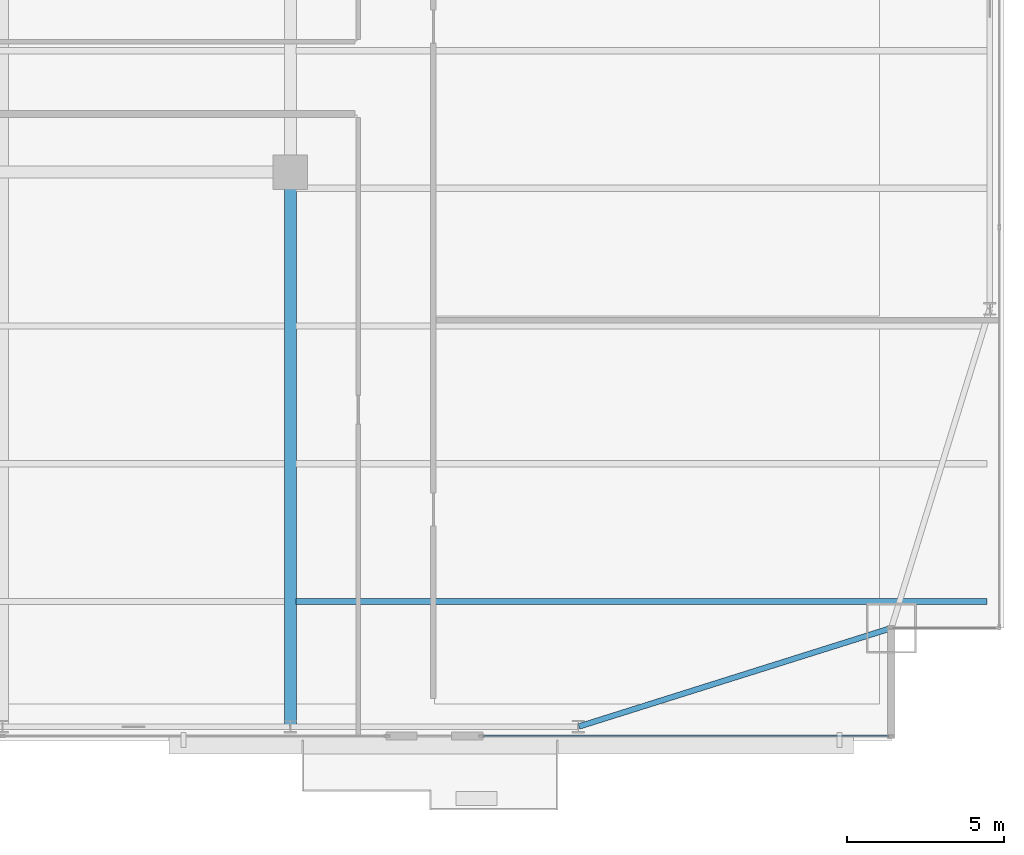
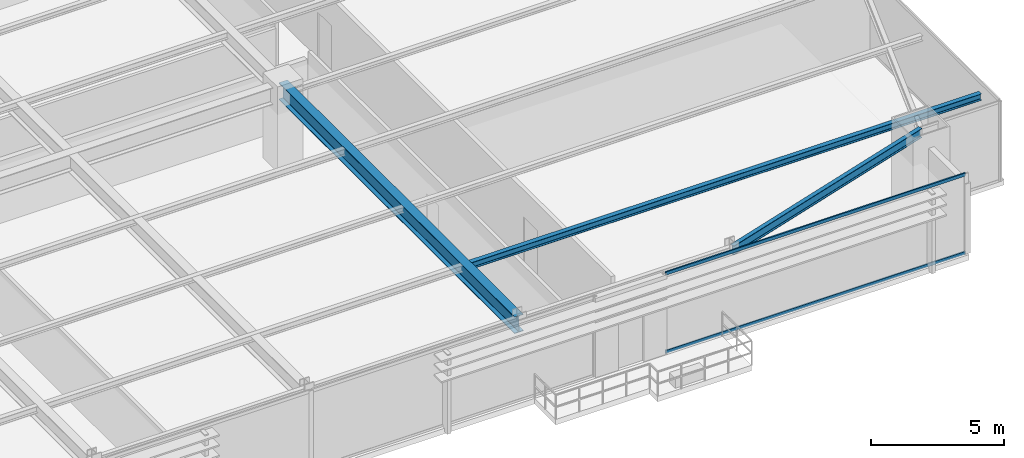
# One storey, part 13 of 31: 3 beams, 2 members, 1 element without a shape of its own.
"""IFC4 building model written with IfcOpenShell, lengths in metres."""

from ifc_helpers import new_model, si_unit, direction, frame, origin, origin_2d, place, context, subcontext, project, spatial, hollow_rectangle, i_section, extrude, source, transform, mapped, material, layer, layer_set, material_profile, profile_set, type_object, type_shapes, element, aggregate, save


model = new_model("IFC4")

# Units and contexts
model_context = context("Model", 3, precision=1e-05, world=origin(), true_north=direction((0.0, 1.0)))
body_context = subcontext(model_context, "Body", "Model", "MODEL_VIEW")
ifc_project = project(units=[si_unit("LENGTHUNIT", "METRE"), si_unit("AREAUNIT", "SQUARE_METRE"), si_unit("VOLUMEUNIT", "CUBIC_METRE"), si_unit("PLANEANGLEUNIT", "RADIAN"), si_unit("MASSUNIT", "GRAM", prefix="KILO")], contexts=[model_context])

# Site, building, storey
site_placement = place(None, origin())
site = spatial("IfcSite", under=ifc_project, at=site_placement, CompositionType="ELEMENT")
building_placement = place(site_placement, origin())
building = spatial("IfcBuilding", under=site, at=building_placement, Name="Varnel Quay Broadcast Tower", CompositionType="ELEMENT")
storey_placement = place(building_placement, frame((0.0, 0.0, 51.0)))
storey = spatial("IfcBuildingStorey", under=building, at=storey_placement, Name="L11", CompositionType="ELEMENT", Elevation=51.0)

# Beams
ifc_material_1 = material(Name="Structural Steel CSA G40.21 350W", Category="steel")
ifc_material_profile_1 = material_profile(ifc_material_1, i_section(OverallWidth=0.180908203125, OverallDepth=0.4169921875, WebThickness=0.010986328125, FlangeThickness=0.018310546875, FilletRadius=0.011962890625, at=origin_2d()), Name="W410X85")
ifc_profile_set_1 = profile_set([ifc_material_profile_1], Name="Structural Steel CSA G40.21 350W")
beam_type_1 = type_object("IfcBeamType", Name="Beam_W410X85", PredefinedType="SPANDREL", material=ifc_profile_set_1)
shared_shape_1 = source(origin(), body_context, "Body", "SweptSolid", [
    extrude(i_section(OverallWidth=0.180908203125, OverallDepth=0.4169921875, WebThickness=0.010986328125, FlangeThickness=0.018310546875, FilletRadius=0.011962890625, at=origin_2d()), origin(), (0.0, 0.0, 1.0), 10.444091796875),
])
type_shapes(beam_type_1, [shared_shape_1])
beam_1_placement = place(storey_placement, frame((52.419189453125, 1.656005859375, 3.44140625), z_axis=(0.953798277271, 0.300447743003, 0.0), x_axis=(-0.300447743003, 0.953798277271, 0.0)))
element("IfcBeam", 1, at=beam_1_placement, inside=storey, type_object=beam_type_1, Name="L11 South Spandrel TC-S5-MC-SE", PredefinedType="SPANDREL", context=body_context, shape_type="MappedRepresentation", body=[
    mapped(shared_shape_1, transform((0.0, 0.0, 0.0), x_axis=(1.0, 0.0, 0.0), y_axis=(0.0, 1.0, 0.0), z_axis=(0.0, 0.0, 1.0), scale=1.0)),
])
ifc_material_profile_2 = material_profile(ifc_material_1, i_section(OverallWidth=0.381103515625, OverallDepth=0.77294921875, WebThickness=0.0166015625, FlangeThickness=0.027587890625, FilletRadius=0.01806640625, at=origin_2d()), Name="W760X257")
ifc_profile_set_2 = profile_set([ifc_material_profile_2], Name="Structural Steel CSA G40.21 350W")
beam_type_2 = type_object("IfcBeamType", Name="Girder_W760X257", PredefinedType="BEAM", material=ifc_profile_set_2)
shared_shape_2 = source(origin(), body_context, "Body", "SweptSolid", [
    extrude(i_section(OverallWidth=0.381103515625, OverallDepth=0.77294921875, WebThickness=0.0166015625, FlangeThickness=0.027587890625, FilletRadius=0.01806640625, at=origin_2d()), origin(), (0.0, 0.0, 1.0), 17.68017578125),
])
type_shapes(beam_type_2, [shared_shape_2])
beam_2_placement = place(storey_placement, frame((43.199951171875, 1.669921875, 3.263427734375), z_axis=(0.0, 1.0, 0.0), x_axis=(-1.0, 0.0, 0.0)))
element("IfcBeam", 2, at=beam_2_placement, inside=storey, type_object=beam_type_2, Name="L11 Primary Girder TC-S4-IC-02", PredefinedType="BEAM", context=body_context, shape_type="MappedRepresentation", body=[
    mapped(shared_shape_2, transform((0.0, 0.0, 0.0), x_axis=(1.0, 0.0, 0.0), y_axis=(0.0, 1.0, 0.0), z_axis=(0.0, 0.0, 1.0), scale=1.0)),
])
ifc_material_profile_3 = material_profile(ifc_material_1, i_section(OverallWidth=0.202880859375, OverallDepth=0.302978515625, WebThickness=0.007568359375, FlangeThickness=0.01318359375, FilletRadius=0.011962890625, at=origin_2d()), Name="W310X60")
ifc_profile_set_3 = profile_set([ifc_material_profile_3], Name="Structural Steel CSA G40.21 350W")
beam_type_3 = type_object("IfcBeamType", Name="Beam_W310X60", PredefinedType="JOIST", material=ifc_profile_set_3)
shared_shape_3 = source(origin(), body_context, "Body", "SweptSolid", [
    extrude(i_section(OverallWidth=0.202880859375, OverallDepth=0.302978515625, WebThickness=0.007568359375, FlangeThickness=0.01318359375, FilletRadius=0.011962890625, at=origin_2d()), origin(), (0.0, 0.0, 1.0), 22.0791015625),
])
type_shapes(beam_type_3, [shared_shape_3])
beam_3_placement = place(storey_placement, frame((43.385498046875, 5.64990234375, 3.49853515625), z_axis=(1.0, 0.0, 0.0), x_axis=(0.0, 1.0, 0.0)))
element("IfcBeam", 3, at=beam_3_placement, inside=storey, type_object=beam_type_3, Name="L11 East Floor Joist 1", PredefinedType="JOIST", context=body_context, shape_type="MappedRepresentation", body=[
    mapped(shared_shape_3, transform((0.0, 0.0, 0.0), x_axis=(1.0, 0.0, 0.0), y_axis=(0.0, 1.0, 0.0), z_axis=(0.0, 0.0, 1.0), scale=1.0)),
])

# Curtain wall, members
ifc_material_2 = material(Name="Anodised Bronze Aluminium 6063-T6", Category="aluminium")
ifc_layer = layer(ifc_material_2, 0.18994140625, Name="Anodised Bronze Aluminium 6063-T6")
ifc_layer_set = layer_set([ifc_layer], Name="Anodised Bronze Aluminium 6063-T6")
curtain_wall_type = type_object("IfcCurtainWallType", Name="CW_LowerTower", PredefinedType="NOTDEFINED", material=ifc_layer_set)
curtain_wall_placement = place(storey_placement, origin())
curtain_wall = element("IfcCurtainWall", 4, at=curtain_wall_placement, inside=storey, type_object=curtain_wall_type, Name="L11 South Unitised Curtain Wall 3", PredefinedType="NOTDEFINED")
ifc_material_profile_4 = material_profile(ifc_material_2, hollow_rectangle(XDim=0.06005859375, YDim=0.14501953125, WallThickness=0.00341796875, at=origin_2d()), Name="ALU60X145X3.5")
ifc_profile_set_4 = profile_set([ifc_material_profile_4], Name="Anodised Bronze Aluminium 6063-T6")
member_type = type_object("IfcMemberType", Name="Tran_CWS-02", PredefinedType="USERDEFINED", material=ifc_profile_set_4)
shared_shape_4 = source(origin(), body_context, "Body", "SweptSolid", [
    extrude(hollow_rectangle(XDim=0.06005859375, YDim=0.14501953125, WallThickness=0.00341796875, at=origin_2d()), origin(), (0.0, 0.0, 1.0), 12.97998046875),
])
type_shapes(member_type, [shared_shape_4])
member_1_placement = place(storey_placement, frame((49.35009765625, 1.35009765625, 0.030029296875), z_axis=(1.0, 0.0, 0.0), x_axis=(0.0, 1.0, 0.0)))
member_1 = element("IfcMember", 5, at=member_1_placement, type_object=member_type, Name="CWS-02 transom 1.1", ObjectType="TRANSOM", PredefinedType="USERDEFINED", context=body_context, shape_type="MappedRepresentation", body=[
    mapped(shared_shape_4, transform((0.0, 0.0, 0.0), x_axis=(1.0, 0.0, 0.0), y_axis=(0.0, 1.0, 0.0), z_axis=(0.0, 0.0, 1.0), scale=1.0)),
])
member_2_placement = place(storey_placement, frame((49.35009765625, 1.35009765625, 3.6201171875), z_axis=(1.0, 0.0, 0.0), x_axis=(0.0, 1.0, 0.0)))
member_2 = element("IfcMember", 6, at=member_2_placement, type_object=member_type, Name="CWS-02 transom 1.2", ObjectType="TRANSOM", PredefinedType="USERDEFINED", context=body_context, shape_type="MappedRepresentation", body=[
    mapped(shared_shape_4, transform((0.0, 0.0, 0.0), x_axis=(1.0, 0.0, 0.0), y_axis=(0.0, 1.0, 0.0), z_axis=(0.0, 0.0, 1.0), scale=1.0)),
])
aggregate(curtain_wall, [member_1, member_2])

save(model, "model.ifc")
